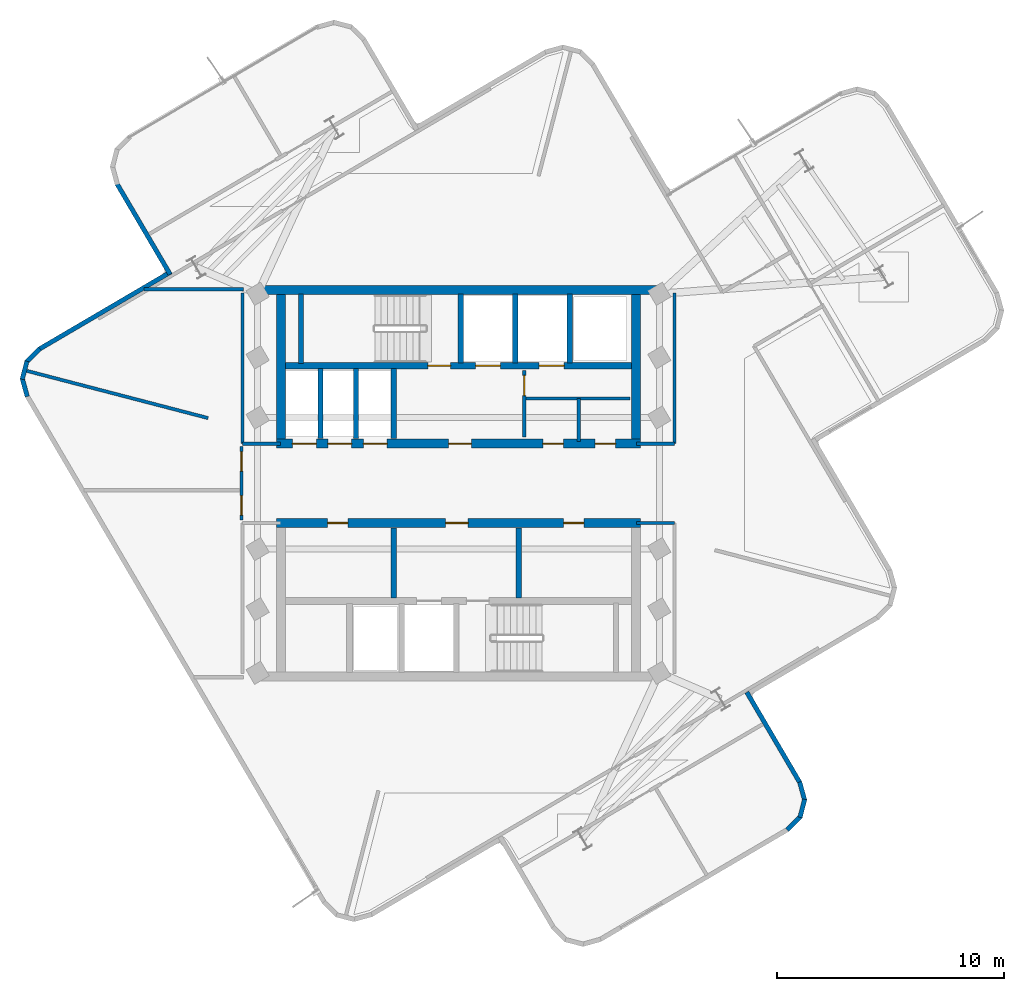
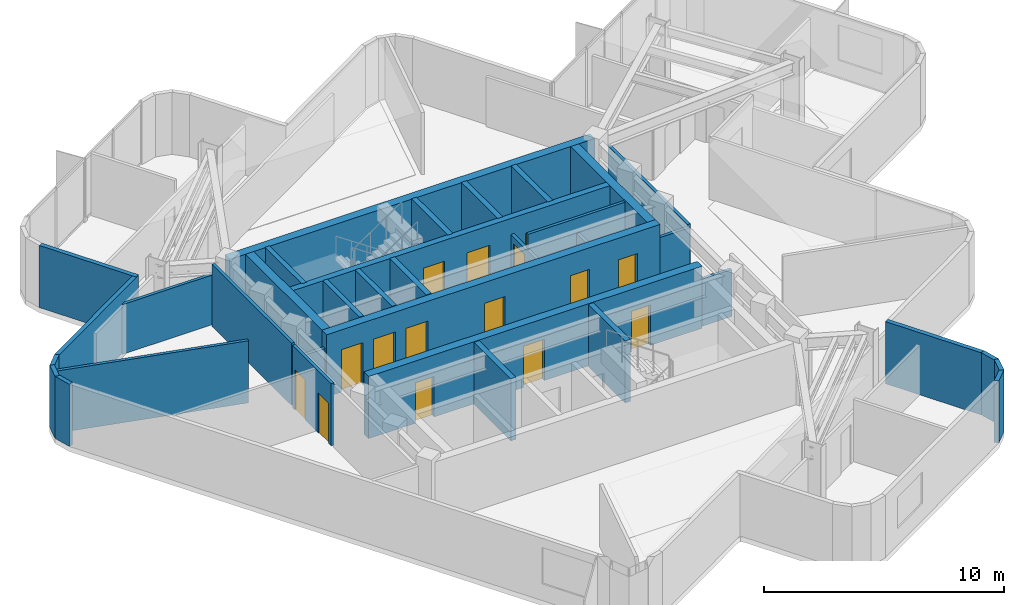
# One storey, part 4 of 8: 35 walls, 15 doors, 15 openings.
"""IFC4 building model written with IfcOpenShell, lengths in metres."""

from ifc_helpers import new_model, si_unit, direction, frame, frame_2d, origin, place, context, subcontext, project, spatial, rectangle, extrude, material, layer, layer_set, type_object, element, fill, save


model = new_model("IFC4")

# Units and contexts
model_context = context("Model", 3, precision=1e-05, world=origin(), true_north=direction((0.0, 1.0)))
body_context = subcontext(model_context, "Body", "Model", "MODEL_VIEW")
ifc_project = project(units=[si_unit("LENGTHUNIT", "METRE"), si_unit("AREAUNIT", "SQUARE_METRE"), si_unit("VOLUMEUNIT", "CUBIC_METRE"), si_unit("PLANEANGLEUNIT", "RADIAN"), si_unit("MASSUNIT", "GRAM", prefix="KILO")], contexts=[model_context])

# Site, building, storey
site_placement = place(None, origin())
site = spatial("IfcSite", under=ifc_project, at=site_placement, CompositionType="ELEMENT")
building_placement = place(site_placement, origin())
building = spatial("IfcBuilding", under=site, at=building_placement, Name="Solmarez Civic Tower", CompositionType="ELEMENT")
storey_placement = place(building_placement, frame((0.0, 0.0, 212.0400390625)))
storey = spatial("IfcBuildingStorey", under=building, at=storey_placement, Name="L56", CompositionType="ELEMENT", Elevation=212.0400390625)

# Wall
ifc_material_1 = material(Name="Concrete C50/60", Category="concrete")
ifc_layer_1 = layer(ifc_material_1, 0.39990234375)
ifc_layer_set_1 = layer_set([ifc_layer_1], Name="Concrete C50/60")
wall_type_1 = type_object("IfcWallType", Name="WALL-CORE-400", PredefinedType="SHEAR", material=ifc_layer_set_1)
wall_1_placement = place(storey_placement, frame((-8.780029296875, 8.510009765625, 0.0), z_axis=(0.0, 0.0, 1.0), x_axis=(1.0, 0.0, 0.0)))
element("IfcWall", 1, at=wall_1_placement, inside=storey, type_object=wall_type_1, Name="L56 Split-Core Structural Wall NCW-N-L56", PredefinedType="SHEAR", context=body_context, shape_type="SweptSolid", body=[
    extrude(rectangle(XDim=17.56005859375, YDim=0.39990234375, at=frame_2d((8.780029296875, 0.0))), origin(), (0.0, 0.0, 1.0), 3.159912109375),
])

# Wall, openings, doors
wall_2_placement = place(storey_placement, frame((8.02001953125, 1.75, 0.0), z_axis=(0.0, 0.0, 1.0), x_axis=(-1.0, 0.0, 0.0)))
wall_2 = element("IfcWall", 2, at=wall_2_placement, inside=storey, type_object=wall_type_1, Name="L56 Split-Core Structural Wall NCW-S-L56", PredefinedType="SHEAR", context=body_context, shape_type="SweptSolid", body=[
    extrude(rectangle(XDim=16.0400390625, YDim=0.39990234375, at=frame_2d((8.02001953125, 0.0))), origin(), (0.0, 0.0, 1.0), 3.159912109375),
])
opening_1_placement = place(wall_2_placement, frame((7.449951171875, 0.0, 0.0)))
opening_1 = element("IfcOpeningElement", 3, at=opening_1_placement, cuts=wall_2, Name="Opening D-04", PredefinedType="OPENING", context=body_context, shape_type="SweptSolid", body=[
    extrude(rectangle(XDim=1.0, YDim=2.10009765625, at=frame_2d((0.5, 1.050048828125))), frame((0.0, 0.2099609375, 0.0), z_axis=(0.0, -1.0, 0.0), x_axis=(1.0, 0.0, 0.0)), (0.0, 0.0, 1.0), 0.419921875),
])
opening_2_placement = place(wall_2_placement, frame((14.284912109375, 0.0, 0.0)))
opening_2 = element("IfcOpeningElement", 4, at=opening_2_placement, cuts=wall_2, Name="Opening LD-01", PredefinedType="OPENING", context=body_context, shape_type="SweptSolid", body=[
    extrude(rectangle(XDim=1.050048828125, YDim=2.14990234375, at=frame_2d((0.52490234375, 1.074951171875))), frame((0.0, 0.2099609375, 0.0), z_axis=(0.0, -1.0, 0.0), x_axis=(1.0, 0.0, 0.0)), (0.0, 0.0, 1.0), 0.419921875),
])
opening_3_placement = place(wall_2_placement, frame((12.72509765625, 0.0, 0.0)))
opening_3 = element("IfcOpeningElement", 5, at=opening_3_placement, cuts=wall_2, Name="Opening LD-01", PredefinedType="OPENING", context=body_context, shape_type="SweptSolid", body=[
    extrude(rectangle(XDim=1.050048828125, YDim=2.14990234375, at=frame_2d((0.52490234375, 1.074951171875))), frame((0.0, 0.2099609375, 0.0), z_axis=(0.0, -1.0, 0.0), x_axis=(1.0, 0.0, 0.0)), (0.0, 0.0, 1.0), 0.419921875),
])
opening_4_placement = place(wall_2_placement, frame((11.1650390625, 0.0, 0.0)))
opening_4 = element("IfcOpeningElement", 6, at=opening_4_placement, cuts=wall_2, Name="Opening LD-01", PredefinedType="OPENING", context=body_context, shape_type="SweptSolid", body=[
    extrude(rectangle(XDim=1.050048828125, YDim=2.14990234375, at=frame_2d((0.52490234375, 1.074951171875))), frame((0.0, 0.2099609375, 0.0), z_axis=(0.0, -1.0, 0.0), x_axis=(1.0, 0.0, 0.0)), (0.0, 0.0, 1.0), 0.419921875),
])
opening_5_placement = place(wall_2_placement, frame((3.39990234375, 0.0, 0.0)))
opening_5 = element("IfcOpeningElement", 7, at=opening_5_placement, cuts=wall_2, Name="Opening D-09", PredefinedType="OPENING", context=body_context, shape_type="SweptSolid", body=[
    extrude(rectangle(XDim=0.89990234375, YDim=2.06005859375, at=frame_2d((0.449951171875, 1.030029296875))), frame((0.0, 0.2099609375, 0.0), z_axis=(0.0, -1.0, 0.0), x_axis=(1.0, 0.0, 0.0)), (0.0, 0.0, 1.0), 0.419921875),
])
opening_6_placement = place(wall_2_placement, frame((1.10009765625, 0.0, 0.0)))
opening_6 = element("IfcOpeningElement", 8, at=opening_6_placement, cuts=wall_2, Name="Opening D-09", PredefinedType="OPENING", context=body_context, shape_type="SweptSolid", body=[
    extrude(rectangle(XDim=0.89990234375, YDim=2.06005859375, at=frame_2d((0.449951171875, 1.030029296875))), frame((0.0, 0.2099609375, 0.0), z_axis=(0.0, -1.0, 0.0), x_axis=(1.0, 0.0, 0.0)), (0.0, 0.0, 1.0), 0.419921875),
])
ifc_material_2 = material(Name="Steel-Faced Acoustic Fire Door", Category="steel")
door_type_1 = type_object("IfcDoorType", Name="DOOR-FD60-1000", OperationType="NOTDEFINED", PredefinedType="DOOR", material=ifc_material_2)
door_1_placement = place(opening_1_placement, origin())
door_1 = element("IfcDoor", 9, at=door_1_placement, inside=storey, type_object=door_type_1, Name="L56 North Firefighting Lobby Door", OperationType="SINGLE_SWING_LEFT", OverallHeight=2.10009765625, OverallWidth=1.0, PredefinedType="DOOR", context=body_context, shape_type="SweptSolid", body=[
    extrude(rectangle(XDim=1.0, YDim=2.10009765625, at=frame_2d((0.5, 1.050048828125))), frame((0.0, 0.02490234375, 0.0), z_axis=(0.0, -1.0, 0.0), x_axis=(1.0, 0.0, 0.0)), (0.0, 0.0, 1.0), 0.050048828125),
])
fill(opening_1, door_1)
ifc_material_3 = material(Name="Fire-Rated Service Core Door", Category="wood")
door_type_2 = type_object("IfcDoorType", Name="DOOR-FD60-900", OperationType="NOTDEFINED", PredefinedType="DOOR", material=ifc_material_3)
door_2_placement = place(opening_5_placement, origin())
door_2 = element("IfcDoor", 10, at=door_2_placement, inside=storey, type_object=door_type_2, Name="L56 Core WC Door", OperationType="SINGLE_SWING_LEFT", OverallHeight=2.06005859375, OverallWidth=0.89990234375, PredefinedType="DOOR", context=body_context, shape_type="SweptSolid", body=[
    extrude(rectangle(XDim=0.89990234375, YDim=2.06005859375, at=frame_2d((0.449951171875, 1.030029296875))), frame((0.0, 0.02490234375, 0.0), z_axis=(0.0, -1.0, 0.0), x_axis=(1.0, 0.0, 0.0)), (0.0, 0.0, 1.0), 0.050048828125),
])
fill(opening_5, door_2)
door_3_placement = place(opening_6_placement, origin())
door_3 = element("IfcDoor", 11, at=door_3_placement, inside=storey, type_object=door_type_2, Name="L56 Core CL Door", OperationType="SINGLE_SWING_RIGHT", OverallHeight=2.06005859375, OverallWidth=0.89990234375, PredefinedType="DOOR", context=body_context, shape_type="SweptSolid", body=[
    extrude(rectangle(XDim=0.89990234375, YDim=2.06005859375, at=frame_2d((0.449951171875, 1.030029296875))), frame((0.0, 0.02490234375, 0.0), z_axis=(0.0, -1.0, 0.0), x_axis=(1.0, 0.0, 0.0)), (0.0, 0.0, 1.0), 0.050048828125),
])
fill(opening_6, door_3)
ifc_material_4 = material(Name="Bronze Passenger Lift Landing Sliding Door", Category="aluminium")
door_type_3 = type_object("IfcDoorType", Name="DOOR-LD-PAX-1050", OperationType="DOUBLE_DOOR_SLIDING", PredefinedType="DOOR", material=ifc_material_4)
door_4_placement = place(opening_2_placement, origin())
door_4 = element("IfcDoor", 12, at=door_4_placement, inside=storey, type_object=door_type_3, Name="L56 High-Rise Lift Landing Door PL-H1", OperationType="DOUBLE_DOOR_SLIDING", OverallHeight=2.14990234375, OverallWidth=1.050048828125, PredefinedType="DOOR", context=body_context, shape_type="SweptSolid", body=[
    extrude(rectangle(XDim=1.050048828125, YDim=2.14990234375, at=frame_2d((0.52490234375, 1.074951171875))), frame((0.0, 0.02490234375, 0.0), z_axis=(0.0, -1.0, 0.0), x_axis=(1.0, 0.0, 0.0)), (0.0, 0.0, 1.0), 0.050048828125),
])
fill(opening_2, door_4)
door_5_placement = place(opening_3_placement, origin())
door_5 = element("IfcDoor", 13, at=door_5_placement, inside=storey, type_object=door_type_3, Name="L56 High-Rise Lift Landing Door PL-H2", OperationType="DOUBLE_DOOR_SLIDING", OverallHeight=2.14990234375, OverallWidth=1.050048828125, PredefinedType="DOOR", context=body_context, shape_type="SweptSolid", body=[
    extrude(rectangle(XDim=1.050048828125, YDim=2.14990234375, at=frame_2d((0.52490234375, 1.074951171875))), frame((0.0, 0.02490234375, 0.0), z_axis=(0.0, -1.0, 0.0), x_axis=(1.0, 0.0, 0.0)), (0.0, 0.0, 1.0), 0.050048828125),
])
fill(opening_3, door_5)
door_6_placement = place(opening_4_placement, origin())
door_6 = element("IfcDoor", 14, at=door_6_placement, inside=storey, type_object=door_type_3, Name="L56 High-Rise Lift Landing Door PL-H3", OperationType="DOUBLE_DOOR_SLIDING", OverallHeight=2.14990234375, OverallWidth=1.050048828125, PredefinedType="DOOR", context=body_context, shape_type="SweptSolid", body=[
    extrude(rectangle(XDim=1.050048828125, YDim=2.14990234375, at=frame_2d((0.52490234375, 1.074951171875))), frame((0.0, 0.02490234375, 0.0), z_axis=(0.0, -1.0, 0.0), x_axis=(1.0, 0.0, 0.0)), (0.0, 0.0, 1.0), 0.050048828125),
])
fill(opening_4, door_6)

# Walls
for number, where, z_axis, x_axis, name in (
    (15, (-7.820068359375, 1.949951171875, 0.0), (0.0, 0.0, 1.0), (0.0, 1.0, 0.0), "L56 Split-Core Structural Wall NCW-W-L56"),
    (16, (7.820068359375, 8.31005859375, 0.0), (0.0, 0.0, 1.0), (0.0, -1.0, 0.0), "L56 Split-Core Structural Wall NCW-E-L56"),
):
    element("IfcWall", number, at=place(storey_placement, frame(where, z_axis=z_axis, x_axis=x_axis)), inside=storey, type_object=wall_type_1, Name=name, PredefinedType="SHEAR", context=body_context, shape_type="SweptSolid", body=[
        extrude(rectangle(XDim=6.360107421875, YDim=0.39990234375, at=frame_2d((3.18017578125, 0.0))), origin(), (0.0, 0.0, 1.0), 3.159912109375),
    ])

# Wall, openings, doors
wall_3_placement = place(storey_placement, frame((-8.02001953125, -1.75, 0.0), z_axis=(0.0, 0.0, 1.0), x_axis=(1.0, 0.0, 0.0)))
wall_3 = element("IfcWall", 17, at=wall_3_placement, inside=storey, type_object=wall_type_1, Name="L56 Split-Core Structural Wall SCW-N-L56", PredefinedType="SHEAR", context=body_context, shape_type="SweptSolid", body=[
    extrude(rectangle(XDim=16.0400390625, YDim=0.39990234375, at=frame_2d((8.02001953125, 0.0))), origin(), (0.0, 0.0, 1.0), 3.159912109375),
])
opening_7_placement = place(wall_3_placement, frame((7.449951171875, 0.0, 0.0)))
opening_7 = element("IfcOpeningElement", 18, at=opening_7_placement, cuts=wall_3, Name="Opening D-04", PredefinedType="OPENING", context=body_context, shape_type="SweptSolid", body=[
    extrude(rectangle(XDim=1.0, YDim=2.10009765625, at=frame_2d((0.5, 1.050048828125))), frame((0.0, 0.2099609375, 0.0), z_axis=(0.0, -1.0, 0.0), x_axis=(1.0, 0.0, 0.0)), (0.0, 0.0, 1.0), 0.419921875),
])
opening_8_placement = place(wall_3_placement, frame((12.64990234375, 0.0, 0.0)))
opening_8 = element("IfcOpeningElement", 19, at=opening_8_placement, cuts=wall_3, Name="Opening D-09", PredefinedType="OPENING", context=body_context, shape_type="SweptSolid", body=[
    extrude(rectangle(XDim=0.89990234375, YDim=2.06005859375, at=frame_2d((0.449951171875, 1.030029296875))), frame((0.0, 0.2099609375, 0.0), z_axis=(0.0, -1.0, 0.0), x_axis=(1.0, 0.0, 0.0)), (0.0, 0.0, 1.0), 0.419921875),
])
opening_9_placement = place(wall_3_placement, frame((2.25, 0.0, 0.0)))
opening_9 = element("IfcOpeningElement", 20, at=opening_9_placement, cuts=wall_3, Name="Opening D-09", PredefinedType="OPENING", context=body_context, shape_type="SweptSolid", body=[
    extrude(rectangle(XDim=0.89990234375, YDim=2.06005859375, at=frame_2d((0.449951171875, 1.030029296875))), frame((0.0, 0.2099609375, 0.0), z_axis=(0.0, -1.0, 0.0), x_axis=(1.0, 0.0, 0.0)), (0.0, 0.0, 1.0), 0.419921875),
])
door_7_placement = place(opening_7_placement, origin())
door_7 = element("IfcDoor", 21, at=door_7_placement, inside=storey, type_object=door_type_1, Name="L56 South Firefighting Lobby Door", OperationType="SINGLE_SWING_RIGHT", OverallHeight=2.10009765625, OverallWidth=1.0, PredefinedType="DOOR", context=body_context, shape_type="SweptSolid", body=[
    extrude(rectangle(XDim=1.0, YDim=2.10009765625, at=frame_2d((0.5, 1.050048828125))), frame((0.0, 0.02490234375, 0.0), z_axis=(0.0, -1.0, 0.0), x_axis=(1.0, 0.0, 0.0)), (0.0, 0.0, 1.0), 0.050048828125),
])
fill(opening_7, door_7)
door_8_placement = place(opening_8_placement, origin())
door_8 = element("IfcDoor", 22, at=door_8_placement, inside=storey, type_object=door_type_2, Name="L56 Freed Hoistway Mailroom Door", OperationType="SINGLE_SWING_LEFT", OverallHeight=2.06005859375, OverallWidth=0.89990234375, PredefinedType="DOOR", context=body_context, shape_type="SweptSolid", body=[
    extrude(rectangle(XDim=0.89990234375, YDim=2.06005859375, at=frame_2d((0.449951171875, 1.030029296875))), frame((0.0, 0.02490234375, 0.0), z_axis=(0.0, -1.0, 0.0), x_axis=(1.0, 0.0, 0.0)), (0.0, 0.0, 1.0), 0.050048828125),
])
fill(opening_8, door_8)
door_9_placement = place(opening_9_placement, origin())
door_9 = element("IfcDoor", 23, at=door_9_placement, inside=storey, type_object=door_type_2, Name="L56 Delegation Tea Pantry Door", OperationType="SINGLE_SWING_RIGHT", OverallHeight=2.06005859375, OverallWidth=0.89990234375, PredefinedType="DOOR", context=body_context, shape_type="SweptSolid", body=[
    extrude(rectangle(XDim=0.89990234375, YDim=2.06005859375, at=frame_2d((0.449951171875, 1.030029296875))), frame((0.0, 0.02490234375, 0.0), z_axis=(0.0, -1.0, 0.0), x_axis=(1.0, 0.0, 0.0)), (0.0, 0.0, 1.0), 0.050048828125),
])
fill(opening_9, door_9)

# Walls
ifc_material_5 = material(Name="Precast concrete C40/50", Category="concrete")
ifc_layer_2 = layer(ifc_material_5, 0.199951171875)
ifc_layer_set_2 = layer_set([ifc_layer_2], Name="Precast concrete C40/50")
wall_type_2 = type_object("IfcWallType", Name="WALL-EXT-200", PredefinedType="SOLIDWALL", material=ifc_layer_set_2)
wall_4_placement = place(storey_placement, frame((-19.0029296875, 3.822021484375, 0.0), z_axis=(0.0, 0.0, 1.0), x_axis=(-0.266246353668, 0.963905015631, 0.0)))
element("IfcWall", 24, at=wall_4_placement, inside=storey, type_object=wall_type_2, Name="L56 Exterior Precast Wall 7", PredefinedType="SOLIDWALL", context=body_context, shape_type="SweptSolid", body=[
    extrude(rectangle(XDim=0.838134765625, YDim=0.199951171875, at=frame_2d((0.4189453125, 0.0))), origin(), (0.0, 0.0, 1.0), 3.159912109375),
])
wall_5_placement = place(storey_placement, frame((-19.22509765625, 4.58203125, 0.0), z_axis=(0.0, 0.0, 1.0), x_axis=(0.251167733737, 0.967943577658, 0.0)))
element("IfcWall", 25, at=wall_5_placement, inside=storey, type_object=wall_type_2, Name="L56 Exterior Precast Wall 8", PredefinedType="SOLIDWALL", context=body_context, shape_type="SweptSolid", body=[
    extrude(rectangle(XDim=0.82421875, YDim=0.199951171875, at=frame_2d((0.412109375, 0.0))), origin(), (0.0, 0.0, 1.0), 3.159912109375),
])
wall_6_placement = place(storey_placement, frame((-19.0419921875, 5.337890625, 0.0), z_axis=(0.0, 0.0, 1.0), x_axis=(0.702877524881, 0.711310891957, 0.0)))
element("IfcWall", 26, at=wall_6_placement, inside=storey, type_object=wall_type_2, Name="L56 Exterior Precast Wall 9", PredefinedType="SOLIDWALL", context=body_context, shape_type="SweptSolid", body=[
    extrude(rectangle(XDim=0.839599609375, YDim=0.199951171875, at=frame_2d((0.419921875, 0.0))), origin(), (0.0, 0.0, 1.0), 3.159912109375),
])
wall_7_placement = place(storey_placement, frame((-18.491943359375, 5.904052734375, 0.0), z_axis=(0.0, 0.0, 1.0), x_axis=(0.86245977502, 0.506125613333, 0.0)))
element("IfcWall", 27, at=wall_7_placement, inside=storey, type_object=wall_type_2, Name="L56 Exterior Precast Wall 10", PredefinedType="SOLIDWALL", context=body_context, shape_type="SweptSolid", body=[
    extrude(rectangle(XDim=6.7412109375, YDim=0.199951171875, at=frame_2d((3.37060546875, 0.0))), origin(), (0.0, 0.0, 1.0), 3.159912109375),
])
for number, where, z_axis, x_axis, name in (
    (28, (-12.70703125, 9.20703125, 0.0), (0.0, 0.0, 1.0), (-0.505936854923, 0.862570518178, 0.0), "L56 Exterior Precast Wall 13"),
    (29, (12.70703125, -9.20703125, 0.0), (0.0, 0.0, 1.0), (0.505936854923, -0.862570518178, 0.0), "L56 Exterior Precast Wall 49"),
):
    element("IfcWall", number, at=place(storey_placement, frame(where, z_axis=z_axis, x_axis=x_axis)), inside=storey, type_object=wall_type_2, Name=name, PredefinedType="SOLIDWALL", context=body_context, shape_type="SweptSolid", body=[
        extrude(rectangle(XDim=4.640625, YDim=0.199951171875, at=frame_2d((2.3203125, 0.0))), origin(), (0.0, 0.0, 1.0), 3.159912109375),
    ])
wall_8_placement = place(storey_placement, frame((15.034912109375, -13.1640625, 0.0), z_axis=(0.0, 0.0, 1.0), x_axis=(0.266246353668, -0.963905015631, 0.0)))
element("IfcWall", 30, at=wall_8_placement, inside=storey, type_object=wall_type_2, Name="L56 Exterior Precast Wall 50", PredefinedType="SOLIDWALL", context=body_context, shape_type="SweptSolid", body=[
    extrude(rectangle(XDim=0.838134765625, YDim=0.199951171875, at=frame_2d((0.4189453125, 0.0))), origin(), (0.0, 0.0, 1.0), 3.159912109375),
])
wall_9_placement = place(storey_placement, frame((15.257080078125, -13.924072265625, 0.0), z_axis=(0.0, 0.0, 1.0), x_axis=(-0.251167733737, -0.967943577658, 0.0)))
element("IfcWall", 31, at=wall_9_placement, inside=storey, type_object=wall_type_2, Name="L56 Exterior Precast Wall 51", PredefinedType="SOLIDWALL", context=body_context, shape_type="SweptSolid", body=[
    extrude(rectangle(XDim=0.82421875, YDim=0.199951171875, at=frame_2d((0.412109375, 0.0))), origin(), (0.0, 0.0, 1.0), 3.159912109375),
])
wall_10_placement = place(storey_placement, frame((15.073974609375, -14.679931640625, 0.0), z_axis=(0.0, 0.0, 1.0), x_axis=(-0.702877524881, -0.711310891957, 0.0)))
element("IfcWall", 32, at=wall_10_placement, inside=storey, type_object=wall_type_2, Name="L56 Exterior Precast Wall 52", PredefinedType="SOLIDWALL", context=body_context, shape_type="SweptSolid", body=[
    extrude(rectangle(XDim=0.839599609375, YDim=0.199951171875, at=frame_2d((0.419921875, 0.0))), origin(), (0.0, 0.0, 1.0), 3.159912109375),
])
ifc_material_6 = material(Name="Gypsum Board Acoustic Steel-Stud Partition", Category="steel")
ifc_layer_3 = layer(ifc_material_6, 0.14990234375)
ifc_layer_set_3 = layer_set([ifc_layer_3], Name="Gypsum Board Acoustic Steel-Stud Partition")
wall_type_3 = type_object("IfcWallType", Name="WALL-INT-FIRE-150", PredefinedType="PARTITIONING", material=ifc_layer_set_3)
wall_11_placement = place(storey_placement, frame((-9.52001953125, 1.75, 0.0), z_axis=(0.0, 0.0, 1.0), x_axis=(0.0, 1.0, 0.0)))
element("IfcWall", 33, at=wall_11_placement, inside=storey, type_object=wall_type_3, Name="L56 Interior Partition CHW-L56-WN1", PredefinedType="PARTITIONING", context=body_context, shape_type="SweptSolid", body=[
    extrude(rectangle(XDim=6.6298828125, YDim=0.14990234375, at=frame_2d((3.31494140625, 0.0))), origin(), (0.0, 0.0, 1.0), 3.159912109375),
])
wall_12_placement = place(storey_placement, frame((-7.85009765625, 1.75, 0.0), z_axis=(0.0, 0.0, 1.0), x_axis=(-1.0, 0.0, 0.0)))
element("IfcWall", 34, at=wall_12_placement, inside=storey, type_object=wall_type_3, Name="L56 Interior Partition CHW-L56-WN3", PredefinedType="PARTITIONING", context=body_context, shape_type="SweptSolid", body=[
    extrude(rectangle(XDim=1.669921875, YDim=0.14990234375, at=frame_2d((0.8349609375, 0.0))), origin(), (0.0, 0.0, 1.0), 2.389892578125),
])
wall_13_placement = place(storey_placement, frame((9.52001953125, 1.75, 0.0), z_axis=(0.0, 0.0, 1.0), x_axis=(0.0, 1.0, 0.0)))
element("IfcWall", 35, at=wall_13_placement, inside=storey, type_object=wall_type_3, Name="L56 Interior Partition CHW-L56-EN1", PredefinedType="PARTITIONING", context=body_context, shape_type="SweptSolid", body=[
    extrude(rectangle(XDim=6.6298828125, YDim=0.14990234375, at=frame_2d((3.31494140625, 0.0))), origin(), (0.0, 0.0, 1.0), 2.530029296875),
])
for number, where, z_axis, x_axis, name in (
    (36, (7.85009765625, 1.75, 0.0), (0.0, 0.0, 1.0), (1.0, 0.0, 0.0), "L56 Interior Partition CHW-L56-EN3"),
    (37, (7.85009765625, -1.75, 0.0), (0.0, 0.0, 1.0), (1.0, 0.0, 0.0), "L56 Interior Partition CHW-L56-ES3"),
):
    element("IfcWall", number, at=place(storey_placement, frame(where, z_axis=z_axis, x_axis=x_axis)), inside=storey, type_object=wall_type_3, Name=name, PredefinedType="PARTITIONING", context=body_context, shape_type="SweptSolid", body=[
        extrude(rectangle(XDim=1.669921875, YDim=0.14990234375, at=frame_2d((0.8349609375, 0.0))), origin(), (0.0, 0.0, 1.0), 2.389892578125),
    ])
ifc_layer_4 = layer(ifc_material_6, 0.14501953125)
ifc_layer_set_4 = layer_set([ifc_layer_4], Name="Gypsum Board Acoustic Steel-Stud Partition")
wall_type_4 = type_object("IfcWallType", Name="WALL-INT-PART-150", PredefinedType="PARTITIONING", material=ifc_layer_set_4)
wall_14_placement = place(storey_placement, frame((-13.85400390625, 8.550048828125, 0.0), z_axis=(0.0, 0.0, 1.0), x_axis=(1.0, 0.0, 0.0)))
element("IfcWall", 38, at=wall_14_placement, inside=storey, type_object=wall_type_4, Name="L56 Interior Partition PT-L56-WH-BN", PredefinedType="PARTITIONING", context=body_context, shape_type="SweptSolid", body=[
    extrude(rectangle(XDim=4.3740234375, YDim=0.14501953125, at=frame_2d((2.18701171875, 0.0))), origin(), (0.0, 0.0, 1.0), 2.530029296875),
])

# Wall, openings, doors
wall_15_placement = place(storey_placement, frame((-9.56005859375, -1.6201171875, 0.0), z_axis=(0.0, 0.0, 1.0), x_axis=(0.0, 1.0, 0.0)))
wall_15 = element("IfcWall", 39, at=wall_15_placement, inside=storey, type_object=wall_type_4, Name="L56 Interior Partition PT-L56-WH-ENT", PredefinedType="PARTITIONING", context=body_context, shape_type="SweptSolid", body=[
    extrude(rectangle(XDim=3.240234375, YDim=0.14501953125, at=frame_2d((1.6201171875, 0.0))), origin(), (0.0, 0.0, 1.0), 3.159912109375),
])
opening_10_placement = place(wall_15_placement, frame((0.219970703125, 0.0, 0.0)))
opening_10 = element("IfcOpeningElement", 40, at=opening_10_placement, cuts=wall_15, Name="Opening D-14", PredefinedType="OPENING", context=body_context, shape_type="SweptSolid", body=[
    extrude(rectangle(XDim=0.860107421875, YDim=2.0400390625, at=frame_2d((0.43017578125, 1.02001953125))), frame((0.0, 0.08251953125, 0.0), z_axis=(0.0, -1.0, 0.0), x_axis=(1.0, 0.0, 0.0)), (0.0, 0.0, 1.0), 0.1650390625),
])
opening_11_placement = place(wall_15_placement, frame((2.159912109375, 0.0, 0.0)))
opening_11 = element("IfcOpeningElement", 41, at=opening_11_placement, cuts=wall_15, Name="Opening D-14", PredefinedType="OPENING", context=body_context, shape_type="SweptSolid", body=[
    extrude(rectangle(XDim=0.860107421875, YDim=2.0400390625, at=frame_2d((0.43017578125, 1.02001953125))), frame((0.0, 0.08251953125, 0.0), z_axis=(0.0, -1.0, 0.0), x_axis=(1.0, 0.0, 0.0)), (0.0, 0.0, 1.0), 0.1650390625),
])
ifc_material_7 = material(Name="Timber Storage and Pantry Door", Category="wood")
door_type_4 = type_object("IfcDoorType", Name="DOOR-INT-850", OperationType="NOTDEFINED", PredefinedType="DOOR", material=ifc_material_7)
door_10_placement = place(opening_10_placement, origin())
door_10 = element("IfcDoor", 42, at=door_10_placement, inside=storey, type_object=door_type_4, Name="L56 Staff Pantry West Second Door", OperationType="SINGLE_SWING_RIGHT", OverallHeight=2.0400390625, OverallWidth=0.860107421875, PredefinedType="DOOR", context=body_context, shape_type="SweptSolid", body=[
    extrude(rectangle(XDim=0.860107421875, YDim=2.0400390625, at=frame_2d((0.43017578125, 1.02001953125))), frame((0.0, 0.02490234375, 0.0), z_axis=(0.0, -1.0, 0.0), x_axis=(1.0, 0.0, 0.0)), (0.0, 0.0, 1.0), 0.050048828125),
])
fill(opening_10, door_10)
door_11_placement = place(opening_11_placement, origin())
door_11 = element("IfcDoor", 43, at=door_11_placement, inside=storey, type_object=door_type_4, Name="L56 Policy Boardroom West First Door", OperationType="SINGLE_SWING_LEFT", OverallHeight=2.0400390625, OverallWidth=0.860107421875, PredefinedType="DOOR", context=body_context, shape_type="SweptSolid", body=[
    extrude(rectangle(XDim=0.860107421875, YDim=2.0400390625, at=frame_2d((0.43017578125, 1.02001953125))), frame((0.0, 0.02490234375, 0.0), z_axis=(0.0, -1.0, 0.0), x_axis=(1.0, 0.0, 0.0)), (0.0, 0.0, 1.0), 0.050048828125),
])
fill(opening_11, door_11)

# Wall
wall_16_placement = place(storey_placement, frame((-11.031982421875, 2.8740234375, 0.0), z_axis=(0.0, 0.0, 1.0), x_axis=(-0.967704417597, 0.252087604146, 0.0)))
element("IfcWall", 44, at=wall_16_placement, inside=storey, type_object=wall_type_4, Name="L56 Interior Partition PT-L56-QDIV-2", PredefinedType="PARTITIONING", context=body_context, shape_type="SweptSolid", body=[
    extrude(rectangle(XDim=8.294921875, YDim=0.14501953125, at=frame_2d((4.1474609375, 0.0))), origin(), (0.0, 0.0, 1.0), 3.159912109375),
])

# Wall, opening, door
ifc_layer_5 = layer(ifc_material_6, 0.159912109375)
ifc_layer_set_5 = layer_set([ifc_layer_5], Name="Gypsum Board Acoustic Steel-Stud Partition")
wall_type_5 = type_object("IfcWallType", Name="WALL-INT-SHAFT-160", PredefinedType="PARTITIONING", material=ifc_layer_set_5)
wall_17_placement = place(storey_placement, frame((2.89990234375, 2.0400390625, 0.0), z_axis=(0.0, 0.0, 1.0), x_axis=(0.0, 1.0, 0.0)))
wall_17 = element("IfcWall", 45, at=wall_17_placement, inside=storey, type_object=wall_type_5, Name="L56 Interior Partition SHW-NL2-L56", PredefinedType="PARTITIONING", context=body_context, shape_type="SweptSolid", body=[
    extrude(rectangle(XDim=2.93994140625, YDim=0.159912109375, at=frame_2d((1.469970703125, 0.0))), origin(), (0.0, 0.0, 1.0), 2.389892578125),
])
opening_12_placement = place(wall_17_placement, frame((1.820068359375, 0.0, 0.0)))
opening_12 = element("IfcOpeningElement", 46, at=opening_12_placement, cuts=wall_17, Name="Opening D-09", PredefinedType="OPENING", context=body_context, shape_type="SweptSolid", body=[
    extrude(rectangle(XDim=0.89990234375, YDim=2.06005859375, at=frame_2d((0.449951171875, 1.030029296875))), frame((0.0, 0.08984375, 0.0), z_axis=(0.0, -1.0, 0.0), x_axis=(1.0, 0.0, 0.0)), (0.0, 0.0, 1.0), 0.179931640625),
])
door_12_placement = place(opening_12_placement, origin())
door_12 = element("IfcDoor", 47, at=door_12_placement, inside=storey, type_object=door_type_2, Name="L56 Service Lift Lobby Door", OperationType="SINGLE_SWING_LEFT", OverallHeight=2.06005859375, OverallWidth=0.89990234375, PredefinedType="DOOR", context=body_context, shape_type="SweptSolid", body=[
    extrude(rectangle(XDim=0.89990234375, YDim=2.06005859375, at=frame_2d((0.449951171875, 1.030029296875))), frame((0.0, 0.02490234375, 0.0), z_axis=(0.0, -1.0, 0.0), x_axis=(1.0, 0.0, 0.0)), (0.0, 0.0, 1.0), 0.050048828125),
])
fill(opening_12, door_12)

# Walls
ifc_layer_6 = layer(ifc_material_6, 0.137939453125)
ifc_layer_set_6 = layer_set([ifc_layer_6], Name="Gypsum Board Acoustic Steel-Stud Partition")
wall_type_6 = type_object("IfcWallType", Name="WALL-INT-WET-140", PredefinedType="PARTITIONING", material=ifc_layer_set_6)
wall_18_placement = place(storey_placement, frame((2.89990234375, 3.739990234375, 0.0), z_axis=(0.0, 0.0, 1.0), x_axis=(1.0, 0.0, 0.0)))
element("IfcWall", 48, at=wall_18_placement, inside=storey, type_object=wall_type_6, Name="L56 Interior Partition SHW-SVH-L56", PredefinedType="PARTITIONING", context=body_context, shape_type="SweptSolid", body=[
    extrude(rectangle(XDim=4.650146484375, YDim=0.137939453125, at=frame_2d((2.3251953125, 0.0))), origin(), (0.0, 0.0, 1.0), 3.159912109375),
])
wall_19_placement = place(storey_placement, frame((5.300048828125, 1.85009765625, 0.0), z_axis=(0.0, 0.0, 1.0), x_axis=(0.0, 1.0, 0.0)))
element("IfcWall", 49, at=wall_19_placement, inside=storey, type_object=wall_type_6, Name="L56 Interior Partition PT-NCSV-L56", PredefinedType="PARTITIONING", context=body_context, shape_type="SweptSolid", body=[
    extrude(rectangle(XDim=1.889892578125, YDim=0.137939453125, at=frame_2d((0.94482421875, 0.0))), origin(), (0.0, 0.0, 1.0), 2.389892578125),
])

# Wall, openings, doors
ifc_layer_7 = layer(ifc_material_1, 0.300048828125)
ifc_layer_set_7 = layer_set([ifc_layer_7], Name="Concrete C50/60")
wall_type_7 = type_object("IfcWallType", Name="WALL-STR-300", PredefinedType="SOLIDWALL", material=ifc_layer_set_7)
wall_20_placement = place(storey_placement, frame((7.6201171875, 5.179931640625, 0.0), z_axis=(0.0, 0.0, 1.0), x_axis=(-1.0, 0.0, 0.0)))
wall_20 = element("IfcWall", 50, at=wall_20_placement, inside=storey, type_object=wall_type_7, Name="L56 Split-Core Structural Wall NCW-M-L56", PredefinedType="SOLIDWALL", context=body_context, shape_type="SweptSolid", body=[
    extrude(rectangle(XDim=15.240234375, YDim=0.300048828125, at=frame_2d((7.6201171875, 0.0))), origin(), (0.0, 0.0, 1.0), 3.159912109375),
])
opening_13_placement = place(wall_20_placement, frame((5.77001953125, 0.0, 0.0)))
opening_13 = element("IfcOpeningElement", 51, at=opening_13_placement, cuts=wall_20, Name="Opening LD-02", PredefinedType="OPENING", context=body_context, shape_type="SweptSolid", body=[
    extrude(rectangle(XDim=1.10009765625, YDim=2.14990234375, at=frame_2d((0.550048828125, 1.074951171875))), frame((0.0, 0.159912109375, 0.0), z_axis=(0.0, -1.0, 0.0), x_axis=(1.0, 0.0, 0.0)), (0.0, 0.0, 1.0), 0.320068359375),
])
opening_14_placement = place(wall_20_placement, frame((2.969970703125, 0.0, 0.0)))
opening_14 = element("IfcOpeningElement", 52, at=opening_14_placement, cuts=wall_20, Name="Opening LD-03", PredefinedType="OPENING", context=body_context, shape_type="SweptSolid", body=[
    extrude(rectangle(XDim=1.10009765625, YDim=2.14990234375, at=frame_2d((0.550048828125, 1.074951171875))), frame((0.0, 0.159912109375, 0.0), z_axis=(0.0, -1.0, 0.0), x_axis=(1.0, 0.0, 0.0)), (0.0, 0.0, 1.0), 0.320068359375),
])
opening_15_placement = place(wall_20_placement, frame((7.969970703125, 0.0, 0.0)))
opening_15 = element("IfcOpeningElement", 53, at=opening_15_placement, cuts=wall_20, Name="Opening D-05", PredefinedType="OPENING", context=body_context, shape_type="SweptSolid", body=[
    extrude(rectangle(XDim=1.0, YDim=2.10009765625, at=frame_2d((0.5, 1.050048828125))), frame((0.0, 0.159912109375, 0.0), z_axis=(0.0, -1.0, 0.0), x_axis=(1.0, 0.0, 0.0)), (0.0, 0.0, 1.0), 0.320068359375),
])
ifc_material_8 = material(Name="Fire-Rated Stairwell Exit Door", Category="wood")
door_type_5 = type_object("IfcDoorType", Name="DOOR-FD90-1000", OperationType="NOTDEFINED", PredefinedType="DOOR", material=ifc_material_8)
door_13_placement = place(opening_15_placement, origin())
door_13 = element("IfcDoor", 54, at=door_13_placement, inside=storey, type_object=door_type_5, Name="L56 North Exit Stair Door ST-1", OperationType="SINGLE_SWING_LEFT", OverallHeight=2.10009765625, OverallWidth=1.0, PredefinedType="DOOR", context=body_context, shape_type="SweptSolid", body=[
    extrude(rectangle(XDim=1.0, YDim=2.10009765625, at=frame_2d((0.5, 1.050048828125))), frame((0.0, 0.02490234375, 0.0), z_axis=(0.0, -1.0, 0.0), x_axis=(1.0, 0.0, 0.0)), (0.0, 0.0, 1.0), 0.050048828125),
])
fill(opening_15, door_13)
ifc_material_9 = material(Name="Stainless Firefighting Lift Landing Sliding Door", Category="aluminium")
door_type_6 = type_object("IfcDoorType", Name="DOOR-LD-FF-1100", OperationType="DOUBLE_DOOR_SLIDING", PredefinedType="DOOR", material=ifc_material_9)
door_14_placement = place(opening_13_placement, origin())
door_14 = element("IfcDoor", 55, at=door_14_placement, inside=storey, type_object=door_type_6, Name="L56 Firefighting Lift Landing Door FFL-1", OperationType="DOUBLE_DOOR_SLIDING", OverallHeight=2.14990234375, OverallWidth=1.10009765625, PredefinedType="DOOR", context=body_context, shape_type="SweptSolid", body=[
    extrude(rectangle(XDim=1.10009765625, YDim=2.14990234375, at=frame_2d((0.550048828125, 1.074951171875))), frame((0.0, 0.02490234375, 0.0), z_axis=(0.0, -1.0, 0.0), x_axis=(1.0, 0.0, 0.0)), (0.0, 0.0, 1.0), 0.050048828125),
])
fill(opening_13, door_14)
ifc_material_10 = material(Name="Stainless Stretcher Lift Landing Sliding Door", Category="aluminium")
door_type_7 = type_object("IfcDoorType", Name="DOOR-LD-SV-1100", OperationType="DOUBLE_DOOR_SLIDING", PredefinedType="DOOR", material=ifc_material_10)
door_15_placement = place(opening_14_placement, origin())
door_15 = element("IfcDoor", 56, at=door_15_placement, inside=storey, type_object=door_type_7, Name="L56 Service Stretcher Lift Landing Door SVL-1", OperationType="DOUBLE_DOOR_SLIDING", OverallHeight=2.14990234375, OverallWidth=1.10009765625, PredefinedType="DOOR", context=body_context, shape_type="SweptSolid", body=[
    extrude(rectangle(XDim=1.10009765625, YDim=2.14990234375, at=frame_2d((0.550048828125, 1.074951171875))), frame((0.0, 0.02490234375, 0.0), z_axis=(0.0, -1.0, 0.0), x_axis=(1.0, 0.0, 0.0)), (0.0, 0.0, 1.0), 0.050048828125),
])
fill(opening_14, door_15)

# Walls
wall_21_placement = place(storey_placement, frame((-6.949951171875, 5.280029296875, 0.0), z_axis=(0.0, 0.0, 1.0), x_axis=(0.0, 1.0, 0.0)))
element("IfcWall", 57, at=wall_21_placement, inside=storey, type_object=wall_type_7, Name="L56 Split-Core Structural Wall SHW-NW-L56", PredefinedType="SOLIDWALL", context=body_context, shape_type="SweptSolid", body=[
    extrude(rectangle(XDim=3.06005859375, YDim=0.219970703125, at=frame_2d((1.530029296875, 0.0))), origin(), (0.0, 0.0, 1.0), 3.159912109375),
])
for number, where, z_axis, x_axis, name in (
    (58, (0.10009765625, 5.300048828125, 0.0), (0.0, 0.0, 1.0), (0.0, 1.0, 0.0), "L56 Split-Core Structural Wall SHW-N1-L56"),
    (59, (2.5, 5.300048828125, 0.0), (0.0, 0.0, 1.0), (0.0, 1.0, 0.0), "L56 Split-Core Structural Wall SHW-N2-L56"),
    (60, (4.89990234375, 5.300048828125, 0.0), (0.0, 0.0, 1.0), (0.0, 1.0, 0.0), "L56 Split-Core Structural Wall SHW-N3-L56"),
):
    element("IfcWall", number, at=place(storey_placement, frame(where, z_axis=z_axis, x_axis=x_axis)), inside=storey, type_object=wall_type_7, Name=name, PredefinedType="SOLIDWALL", context=body_context, shape_type="SweptSolid", body=[
        extrude(rectangle(XDim=3.0400390625, YDim=0.25, at=frame_2d((1.52001953125, 0.0))), origin(), (0.0, 0.0, 1.0), 3.159912109375),
    ])
for number, where, z_axis, x_axis, name in (
    (61, (-2.85009765625, 1.97998046875, 0.0), (0.0, 0.0, 1.0), (0.0, 1.0, 0.0), "L56 Split-Core Structural Wall SHW-NL1-L56"),
    (62, (-2.85009765625, -5.050048828125, 0.0), (0.0, 0.0, 1.0), (0.0, 1.0, 0.0), "L56 Split-Core Structural Wall SHW-SL1-L56"),
    (63, (2.64990234375, -5.050048828125, 0.0), (0.0, 0.0, 1.0), (0.0, 1.0, 0.0), "L56 Split-Core Structural Wall SHW-SL2-L56"),
):
    element("IfcWall", number, at=place(storey_placement, frame(where, z_axis=z_axis, x_axis=x_axis)), inside=storey, type_object=wall_type_7, Name=name, PredefinedType="SOLIDWALL", context=body_context, shape_type="SweptSolid", body=[
        extrude(rectangle(XDim=3.070068359375, YDim=0.25, at=frame_2d((1.53515625, 0.0))), origin(), (0.0, 0.0, 1.0), 3.159912109375),
    ])
for number, where, z_axis, x_axis, name in (
    (64, (-6.080078125, 1.97998046875, 0.0), (0.0, 0.0, 1.0), (0.0, 1.0, 0.0), "L56 Split-Core Structural Wall SHW-PLH-L56-1"),
    (65, (-4.52001953125, 1.97998046875, 0.0), (0.0, 0.0, 1.0), (0.0, 1.0, 0.0), "L56 Split-Core Structural Wall SHW-PLH-L56-2"),
):
    element("IfcWall", number, at=place(storey_placement, frame(where, z_axis=z_axis, x_axis=x_axis)), inside=storey, type_object=wall_type_7, Name=name, PredefinedType="SOLIDWALL", context=body_context, shape_type="SweptSolid", body=[
        extrude(rectangle(XDim=3.070068359375, YDim=0.219970703125, at=frame_2d((1.53515625, 0.0))), origin(), (0.0, 0.0, 1.0), 3.159912109375),
    ])

save(model, "model.ifc")
